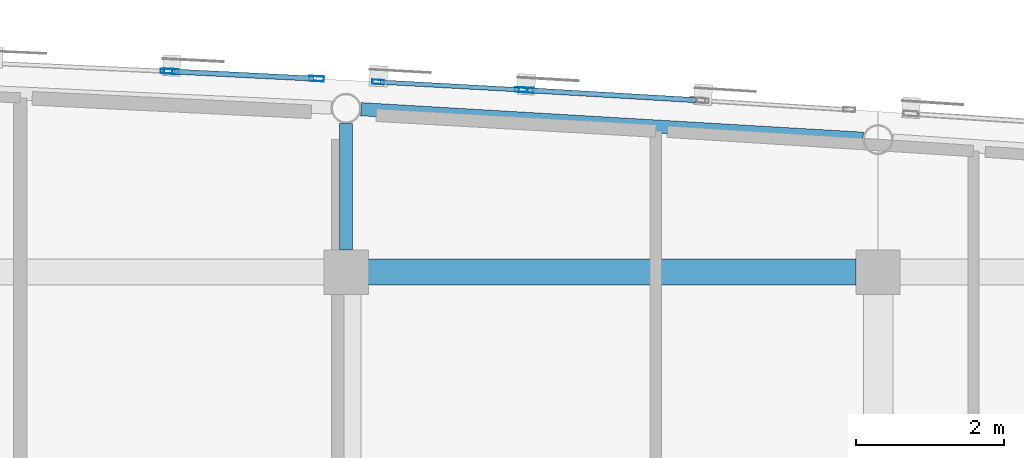
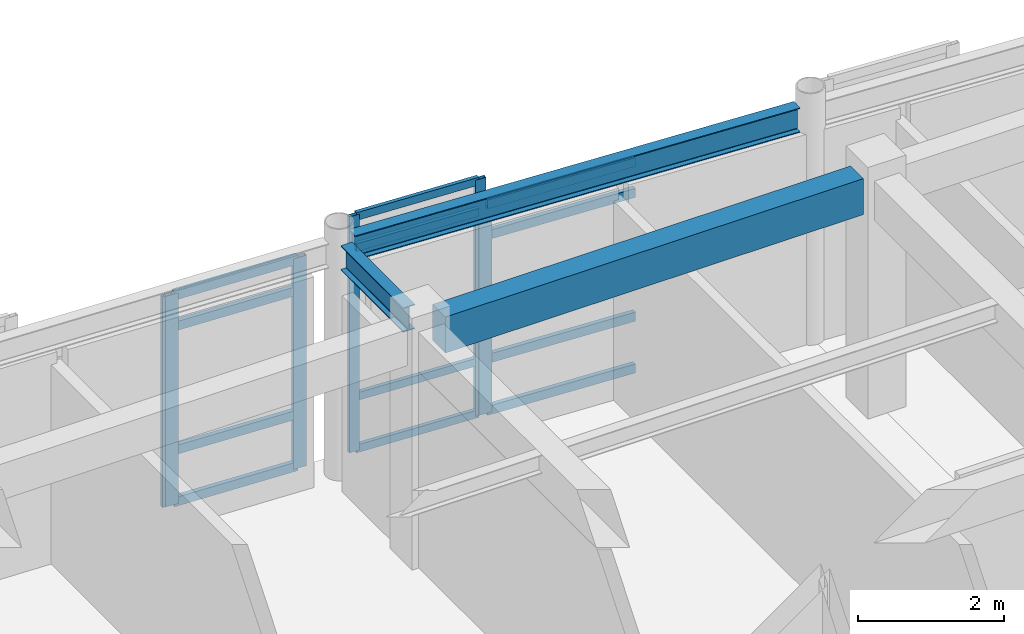
# One storey, part 52 of 113: 18 members, 3 beams, 4 elements without a shape of their own.
"""IFC4 building model written with IfcOpenShell, lengths in metres."""

from ifc_helpers import new_model, si_unit, direction, frame, origin, origin_2d, place, context, subcontext, project, spatial, rectangle, hollow_rectangle, i_section, extrude, material, layer, layer_set, material_profile, profile_set, type_object, element, aggregate, save


model = new_model("IFC4")

# Units and contexts
model_context = context("Model", 3, precision=1e-05, world=origin(), true_north=direction((0.0, 1.0)))
body_context = subcontext(model_context, "Body", "Model", "MODEL_VIEW")
ifc_project = project(units=[si_unit("LENGTHUNIT", "METRE"), si_unit("AREAUNIT", "SQUARE_METRE"), si_unit("VOLUMEUNIT", "CUBIC_METRE"), si_unit("PLANEANGLEUNIT", "RADIAN"), si_unit("MASSUNIT", "GRAM", prefix="KILO")], contexts=[model_context])

# Site, building, storey
site_placement = place(None, origin())
site = spatial("IfcSite", under=ifc_project, at=site_placement, CompositionType="ELEMENT")
building_placement = place(site_placement, origin())
building = spatial("IfcBuilding", under=site, at=building_placement, Name="Carrowvane Square Congress Hotel", CompositionType="ELEMENT")
storey_placement = place(building_placement, frame((0.0, 0.0, 15.0)))
storey = spatial("IfcBuildingStorey", under=building, at=storey_placement, Name="L03", CompositionType="ELEMENT", Elevation=15.0)

# Beams
ifc_material_1 = material(Name="Concrete C35/45", Category="concrete")
ifc_material_profile_1 = material_profile(ifc_material_1, rectangle(XDim=0.35009765625, YDim=0.60009765625, at=origin_2d()), Name="RC 350x600")
ifc_profile_set_1 = profile_set([ifc_material_profile_1], Name="Concrete C35/45")
beam_type_1 = type_object("IfcBeamType", Name="BM-RC-350x600", PredefinedType="BEAM", material=ifc_profile_set_1)
beam_1_placement = place(storey_placement, frame((119.89990234375, 113.39990234375, 3.639892578125), z_axis=(1.0, 0.0, 0.0), x_axis=(0.0, 1.0, 0.0)))
element("IfcBeam", 1, at=beam_1_placement, inside=storey, type_object=beam_type_1, Name="L04 girder R/16-17", PredefinedType="BEAM", context=body_context, shape_type="SweptSolid", body=[
    extrude(rectangle(XDim=0.35009765625, YDim=0.60009765625, at=origin_2d()), origin(), (0.0, 0.0, 1.0), 6.60009765625),
])
ifc_material_2 = material(Name="Steel S355", Category="steel")
ifc_material_profile_2 = material_profile(ifc_material_2, i_section(OverallWidth=0.1787109375, OverallDepth=0.409423828125, WebThickness=0.0087890625, FlangeThickness=0.014404296875, FilletRadius=0.01025390625, at=origin_2d()), Name="UKB 406x178x67")
ifc_profile_set_2 = profile_set([ifc_material_profile_2], Name="Steel S355")
beam_type_2 = type_object("IfcBeamType", Name="BM-ST-UKB406", PredefinedType="BEAM", material=ifc_profile_set_2)
beam_2_placement = place(storey_placement, frame((119.802734375, 115.605712890625, 3.7353515625), z_axis=(0.998276598904, -0.058684172325, 0.0), x_axis=(0.058684172325, 0.998276598904, 0.0)))
element("IfcBeam", 2, at=beam_2_placement, inside=storey, type_object=beam_type_2, Name="L04 curved north spandrel", PredefinedType="BEAM", context=body_context, shape_type="SweptSolid", body=[
    extrude(i_section(OverallWidth=0.1787109375, OverallDepth=0.409423828125, WebThickness=0.0087890625, FlangeThickness=0.014404296875, FilletRadius=0.01025390625, at=origin_2d()), origin(), (0.0, 0.0, 1.0), 6.80615234375),
])
beam_3_placement = place(storey_placement, frame((119.60009765625, 113.699951171875, 3.7353515625), z_axis=(0.0, 1.0, 0.0), x_axis=(-1.0, 0.0, 0.0)))
element("IfcBeam", 3, at=beam_3_placement, inside=storey, type_object=beam_type_2, Name="L04 radial north beam 16", PredefinedType="BEAM", context=body_context, shape_type="SweptSolid", body=[
    extrude(i_section(OverallWidth=0.1787109375, OverallDepth=0.409423828125, WebThickness=0.0087890625, FlangeThickness=0.014404296875, FilletRadius=0.01025390625, at=origin_2d()), origin(), (0.0, 0.0, 1.0), 1.71435546875),
])

# Curtain wall, member
ifc_material_3 = material(Name="Anodised aluminium", Category="aluminium")
ifc_layer_1 = layer(ifc_material_3, 0.162109375)
ifc_layer_set_1 = layer_set([ifc_layer_1], Name="Anodised aluminium")
curtain_wall_type_1 = type_object("IfcCurtainWallType", Name="CW-SYS-1", PredefinedType="NOTDEFINED", material=ifc_layer_set_1)
curtain_wall_1_placement = place(storey_placement, origin())
curtain_wall_1 = element("IfcCurtainWall", 4, at=curtain_wall_1_placement, inside=storey, type_object=curtain_wall_type_1, Name="L03 unitised curtain wall 224", PredefinedType="NOTDEFINED")
ifc_material_4 = material(Name="Anodised aluminium", Category="aluminium")
ifc_material_profile_3 = material_profile(ifc_material_4, hollow_rectangle(XDim=0.06005859375, YDim=0.159912109375, WallThickness=0.00390625, at=origin_2d()), Name="CW-ML 60x160x4")
ifc_profile_set_3 = profile_set([ifc_material_profile_3], Name="Anodised aluminium")
member_type_1 = type_object("IfcMemberType", Name="CW-MUL-1", PredefinedType="MULLION", material=ifc_profile_set_3)
member_1_placement = place(storey_placement, frame((117.170166015625, 116.119873046875, 0.0), z_axis=(0.0, 0.0, 1.0), x_axis=(0.045411059449, 0.998968385726, 0.0)))
member_1 = element("IfcMember", 5, at=member_1_placement, type_object=member_type_1, Name="CW-1 mullion 2", PredefinedType="MULLION", context=body_context, shape_type="SweptSolid", body=[
    extrude(hollow_rectangle(XDim=0.06005859375, YDim=0.159912109375, WallThickness=0.00390625, at=origin_2d()), origin(), (0.0, 0.0, 1.0), 3.515625),
])
aggregate(curtain_wall_1, [member_1])

# Curtain wall, members
ifc_material_5 = material(Name="Anodised aluminium", Category="aluminium")
ifc_layer_2 = layer(ifc_material_5, 0.18603515625)
ifc_layer_set_2 = layer_set([ifc_layer_2], Name="Anodised aluminium")
curtain_wall_type_2 = type_object("IfcCurtainWallType", Name="CW-SYS-3", PredefinedType="NOTDEFINED", material=ifc_layer_set_2)
curtain_wall_2_placement = place(storey_placement, origin())
curtain_wall_2 = element("IfcCurtainWall", 6, at=curtain_wall_2_placement, inside=storey, type_object=curtain_wall_type_2, Name="L03 unitised curtain wall 226", PredefinedType="NOTDEFINED")
member_2_placement = place(storey_placement, frame((120.034423828125, 115.9736328125, 0.0), z_axis=(0.0, 0.0, 1.0), x_axis=(0.054815980317, 0.998496473856, 0.0)))
member_2 = element("IfcMember", 7, at=member_2_placement, type_object=member_type_1, Name="CW-3 mullion 1", PredefinedType="MULLION", context=body_context, shape_type="SweptSolid", body=[
    extrude(hollow_rectangle(XDim=0.06005859375, YDim=0.159912109375, WallThickness=0.00390625, at=origin_2d()), origin(), (0.0, 0.0, 1.0), 3.93994140625),
])
member_3_placement = place(storey_placement, frame((121.969970703125, 115.867431640625, 0.0), z_axis=(0.0, 0.0, 1.0), x_axis=(0.054815980317, 0.998496473856, 0.0)))
member_3 = element("IfcMember", 8, at=member_3_placement, type_object=member_type_1, Name="CW-3 mullion 2", PredefinedType="MULLION", context=body_context, shape_type="SweptSolid", body=[
    extrude(hollow_rectangle(XDim=0.06005859375, YDim=0.159912109375, WallThickness=0.00390625, at=origin_2d()), origin(), (0.0, 0.0, 1.0), 3.93994140625),
])

ifc_material_6 = material(Name="Anodised aluminium", Category="aluminium")
ifc_layer_3 = layer(ifc_material_6, 0.174072265625)
ifc_layer_set_3 = layer_set([ifc_layer_3], Name="Anodised aluminium")
curtain_wall_type_3 = type_object("IfcCurtainWallType", Name="CW-SYS-2", PredefinedType="NOTDEFINED", material=ifc_layer_set_3)
curtain_wall_3_placement = place(storey_placement, origin())
curtain_wall_3 = element("IfcCurtainWall", 9, at=curtain_wall_3_placement, inside=storey, type_object=curtain_wall_type_3, Name="L03 unitised curtain wall 225", PredefinedType="NOTDEFINED")
ifc_material_7 = material(Name="Anodised aluminium", Category="aluminium")
ifc_material_profile_4 = material_profile(ifc_material_7, hollow_rectangle(XDim=0.070068359375, YDim=0.199951171875, WallThickness=0.0048828125, at=origin_2d()), Name="CW-ML 70x200x5")
ifc_profile_set_4 = profile_set([ifc_material_profile_4], Name="Anodised aluminium")
member_type_2 = type_object("IfcMemberType", Name="CW-MUL-2", PredefinedType="MULLION", material=ifc_profile_set_4)
member_4_placement = place(storey_placement, frame((117.23486328125, 116.11669921875, 0.0), z_axis=(0.0, 0.0, 1.0), x_axis=(0.050323791596, 0.998732955299, 0.0)))
member_4 = element("IfcMember", 10, at=member_4_placement, type_object=member_type_2, Name="CW-2 mullion 1", PredefinedType="MULLION", context=body_context, shape_type="SweptSolid", body=[
    extrude(hollow_rectangle(XDim=0.070068359375, YDim=0.199951171875, WallThickness=0.0048828125, at=origin_2d()), origin(), (0.0, 0.0, 1.0), 3.515625),
])
member_5_placement = place(storey_placement, frame((119.200439453125, 116.017822265625, 0.0), z_axis=(0.0, 0.0, 1.0), x_axis=(0.050323791596, 0.998732955299, 0.0)))
member_5 = element("IfcMember", 11, at=member_5_placement, type_object=member_type_2, Name="CW-2 mullion 2", PredefinedType="MULLION", context=body_context, shape_type="SweptSolid", body=[
    extrude(hollow_rectangle(XDim=0.070068359375, YDim=0.199951171875, WallThickness=0.0048828125, at=origin_2d()), origin(), (0.0, 0.0, 1.0), 3.515625),
])

# Curtain wall, member
ifc_material_8 = material(Name="Anodised aluminium", Category="aluminium")
ifc_layer_4 = layer(ifc_material_8, 0.197998046875)
ifc_layer_set_4 = layer_set([ifc_layer_4], Name="Anodised aluminium")
curtain_wall_type_4 = type_object("IfcCurtainWallType", Name="CW-SYS-4", PredefinedType="NOTDEFINED", material=ifc_layer_set_4)
curtain_wall_4_placement = place(storey_placement, origin())
curtain_wall_4 = element("IfcCurtainWall", 12, at=curtain_wall_4_placement, inside=storey, type_object=curtain_wall_type_4, Name="L03 unitised curtain wall 227", PredefinedType="NOTDEFINED")
member_6_placement = place(storey_placement, frame((122.034912109375, 115.86376953125, 0.0), z_axis=(0.0, 0.0, 1.0), x_axis=(0.058851249486, 0.998266763162, 0.0)))
member_6 = element("IfcMember", 13, at=member_6_placement, type_object=member_type_2, Name="CW-4 mullion 1", PredefinedType="MULLION", context=body_context, shape_type="SweptSolid", body=[
    extrude(hollow_rectangle(XDim=0.070068359375, YDim=0.199951171875, WallThickness=0.0048828125, at=origin_2d()), origin(), (0.0, 0.0, 1.0), 3.515625),
])

# Member
ifc_material_9 = material(Name="Anodised aluminium", Category="aluminium")
ifc_material_profile_5 = material_profile(ifc_material_9, hollow_rectangle(XDim=0.06005859375, YDim=0.1298828125, WallThickness=0.00390625, at=origin_2d()), Name="CW-TR 60x130x4")
ifc_profile_set_5 = profile_set([ifc_material_profile_5], Name="Anodised aluminium")
member_type_3 = type_object("IfcMemberType", Name="CW-TRN-1", PredefinedType="USERDEFINED", material=ifc_profile_set_5)
member_7_placement = place(storey_placement, frame((120.064453125, 115.97216796875, 0.030029296875), z_axis=(0.99849494655, -0.054843793758, 0.0), x_axis=(0.054843793758, 0.99849494655, 0.0)))
member_7 = element("IfcMember", 14, at=member_7_placement, type_object=member_type_3, Name="CW-3 transom 1.1", ObjectType="TRANSOM", PredefinedType="USERDEFINED", context=body_context, shape_type="SweptSolid", body=[
    extrude(hollow_rectangle(XDim=0.06005859375, YDim=0.1298828125, WallThickness=0.00390625, at=origin_2d()), origin(), (0.0, 0.0, 1.0), 1.878662109375),
])

member_8_placement = place(storey_placement, frame((120.064453125, 115.97216796875, 0.89990234375), z_axis=(0.99849494655, -0.054843793758, 0.0), x_axis=(0.054843793758, 0.99849494655, 0.0)))
member_8 = element("IfcMember", 15, at=member_8_placement, type_object=member_type_3, Name="CW-3 transom 1.2", ObjectType="TRANSOM", PredefinedType="USERDEFINED", context=body_context, shape_type="SweptSolid", body=[
    extrude(hollow_rectangle(XDim=0.06005859375, YDim=0.1298828125, WallThickness=0.00390625, at=origin_2d()), origin(), (0.0, 0.0, 1.0), 1.878662109375),
])

member_9_placement = place(storey_placement, frame((120.064453125, 115.97216796875, 3.389892578125), z_axis=(0.99849494655, -0.054843793758, 0.0), x_axis=(0.054843793758, 0.99849494655, 0.0)))
member_9 = element("IfcMember", 16, at=member_9_placement, type_object=member_type_3, Name="CW-3 transom 1.3", ObjectType="TRANSOM", PredefinedType="USERDEFINED", context=body_context, shape_type="SweptSolid", body=[
    extrude(hollow_rectangle(XDim=0.06005859375, YDim=0.1298828125, WallThickness=0.00390625, at=origin_2d()), origin(), (0.0, 0.0, 1.0), 1.878662109375),
])

member_10_placement = place(storey_placement, frame((120.064453125, 115.97216796875, 3.909912109375), z_axis=(0.99849494655, -0.054843793758, 0.0), x_axis=(0.054843793758, 0.99849494655, 0.0)))
member_10 = element("IfcMember", 17, at=member_10_placement, type_object=member_type_3, Name="CW-3 transom 1.4", ObjectType="TRANSOM", PredefinedType="USERDEFINED", context=body_context, shape_type="SweptSolid", body=[
    extrude(hollow_rectangle(XDim=0.06005859375, YDim=0.1298828125, WallThickness=0.00390625, at=origin_2d()), origin(), (0.0, 0.0, 1.0), 1.878662109375),
])

aggregate(curtain_wall_2, [member_2, member_3, member_7, member_8, member_9, member_10])

ifc_material_10 = material(Name="Anodised aluminium", Category="aluminium")
ifc_material_profile_6 = material_profile(ifc_material_10, hollow_rectangle(XDim=0.070068359375, YDim=0.14990234375, WallThickness=0.0048828125, at=origin_2d()), Name="CW-TR 70x150x5")
ifc_profile_set_6 = profile_set([ifc_material_profile_6], Name="Anodised aluminium")
member_type_4 = type_object("IfcMemberType", Name="CW-TRN-2", PredefinedType="USERDEFINED", material=ifc_profile_set_6)
member_11_placement = place(storey_placement, frame((117.27001953125, 116.114990234375, 0.034912109375), z_axis=(0.998734310046, -0.050296897891, 0.0), x_axis=(0.050296897891, 0.998734310046, 0.0)))
member_11 = element("IfcMember", 18, at=member_11_placement, type_object=member_type_4, Name="CW-2 transom 1.1", ObjectType="TRANSOM", PredefinedType="USERDEFINED", context=body_context, shape_type="SweptSolid", body=[
    extrude(hollow_rectangle(XDim=0.070068359375, YDim=0.14990234375, WallThickness=0.0048828125, at=origin_2d()), origin(), (0.0, 0.0, 1.0), 1.89794921875),
])

member_12_placement = place(storey_placement, frame((117.27001953125, 116.114990234375, 0.89990234375), z_axis=(0.998734310046, -0.050296897891, 0.0), x_axis=(0.050296897891, 0.998734310046, 0.0)))
member_12 = element("IfcMember", 19, at=member_12_placement, type_object=member_type_4, Name="CW-2 transom 1.2", ObjectType="TRANSOM", PredefinedType="USERDEFINED", context=body_context, shape_type="SweptSolid", body=[
    extrude(hollow_rectangle(XDim=0.070068359375, YDim=0.14990234375, WallThickness=0.0048828125, at=origin_2d()), origin(), (0.0, 0.0, 1.0), 1.89794921875),
])

member_13_placement = place(storey_placement, frame((117.27001953125, 116.114990234375, 2.965576171875), z_axis=(0.998734310046, -0.050296897891, 0.0), x_axis=(0.050296897891, 0.998734310046, 0.0)))
member_13 = element("IfcMember", 20, at=member_13_placement, type_object=member_type_4, Name="CW-2 transom 1.3", ObjectType="TRANSOM", PredefinedType="USERDEFINED", context=body_context, shape_type="SweptSolid", body=[
    extrude(hollow_rectangle(XDim=0.070068359375, YDim=0.14990234375, WallThickness=0.0048828125, at=origin_2d()), origin(), (0.0, 0.0, 1.0), 1.89794921875),
])

member_14_placement = place(storey_placement, frame((117.27001953125, 116.114990234375, 3.480712890625), z_axis=(0.998734310046, -0.050296897891, 0.0), x_axis=(0.050296897891, 0.998734310046, 0.0)))
member_14 = element("IfcMember", 21, at=member_14_placement, type_object=member_type_4, Name="CW-2 transom 1.4", ObjectType="TRANSOM", PredefinedType="USERDEFINED", context=body_context, shape_type="SweptSolid", body=[
    extrude(hollow_rectangle(XDim=0.070068359375, YDim=0.14990234375, WallThickness=0.0048828125, at=origin_2d()), origin(), (0.0, 0.0, 1.0), 1.89794921875),
])

aggregate(curtain_wall_3, [member_4, member_5, member_11, member_12, member_13, member_14])

member_15_placement = place(storey_placement, frame((122.06982421875, 115.86181640625, 0.034912109375), z_axis=(0.998265438007, -0.058873723175, 0.0), x_axis=(0.058873723175, 0.998265438007, 0.0)))
member_15 = element("IfcMember", 22, at=member_15_placement, type_object=member_type_4, Name="CW-4 transom 1.1", ObjectType="TRANSOM", PredefinedType="USERDEFINED", context=body_context, shape_type="SweptSolid", body=[
    extrude(hollow_rectangle(XDim=0.070068359375, YDim=0.14990234375, WallThickness=0.0048828125, at=origin_2d()), origin(), (0.0, 0.0, 1.0), 2.26416015625),
])

member_16_placement = place(storey_placement, frame((122.06982421875, 115.86181640625, 0.89990234375), z_axis=(0.998265438007, -0.058873723175, 0.0), x_axis=(0.058873723175, 0.998265438007, 0.0)))
member_16 = element("IfcMember", 23, at=member_16_placement, type_object=member_type_4, Name="CW-4 transom 1.2", ObjectType="TRANSOM", PredefinedType="USERDEFINED", context=body_context, shape_type="SweptSolid", body=[
    extrude(hollow_rectangle(XDim=0.070068359375, YDim=0.14990234375, WallThickness=0.0048828125, at=origin_2d()), origin(), (0.0, 0.0, 1.0), 2.26416015625),
])

member_17_placement = place(storey_placement, frame((122.06982421875, 115.86181640625, 2.965576171875), z_axis=(0.998265438007, -0.058873723175, 0.0), x_axis=(0.058873723175, 0.998265438007, 0.0)))
member_17 = element("IfcMember", 24, at=member_17_placement, type_object=member_type_4, Name="CW-4 transom 1.3", ObjectType="TRANSOM", PredefinedType="USERDEFINED", context=body_context, shape_type="SweptSolid", body=[
    extrude(hollow_rectangle(XDim=0.070068359375, YDim=0.14990234375, WallThickness=0.0048828125, at=origin_2d()), origin(), (0.0, 0.0, 1.0), 2.26416015625),
])

member_18_placement = place(storey_placement, frame((122.06982421875, 115.86181640625, 3.480712890625), z_axis=(0.998265438007, -0.058873723175, 0.0), x_axis=(0.058873723175, 0.998265438007, 0.0)))
member_18 = element("IfcMember", 25, at=member_18_placement, type_object=member_type_4, Name="CW-4 transom 1.4", ObjectType="TRANSOM", PredefinedType="USERDEFINED", context=body_context, shape_type="SweptSolid", body=[
    extrude(hollow_rectangle(XDim=0.070068359375, YDim=0.14990234375, WallThickness=0.0048828125, at=origin_2d()), origin(), (0.0, 0.0, 1.0), 2.26416015625),
])

aggregate(curtain_wall_4, [member_6, member_15, member_16, member_17, member_18])

save(model, "model.ifc")
